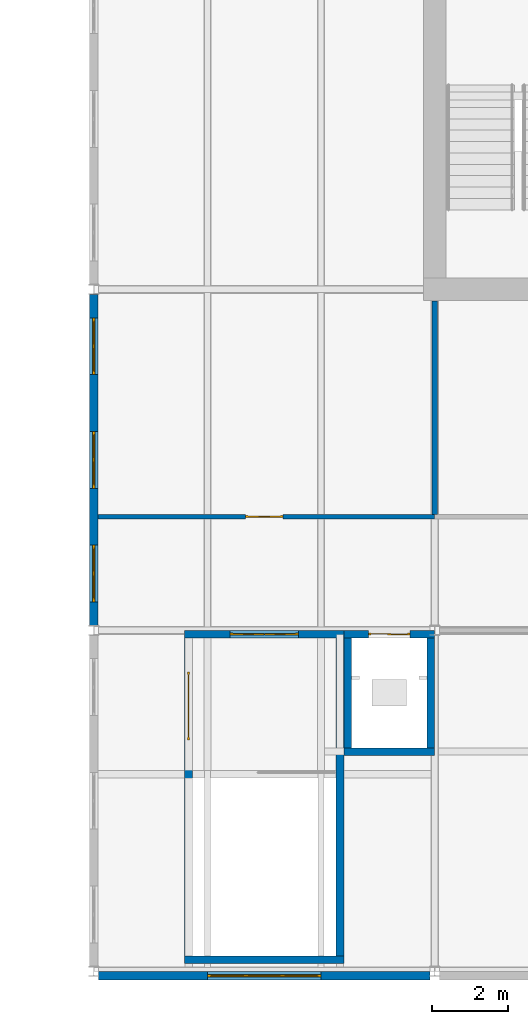
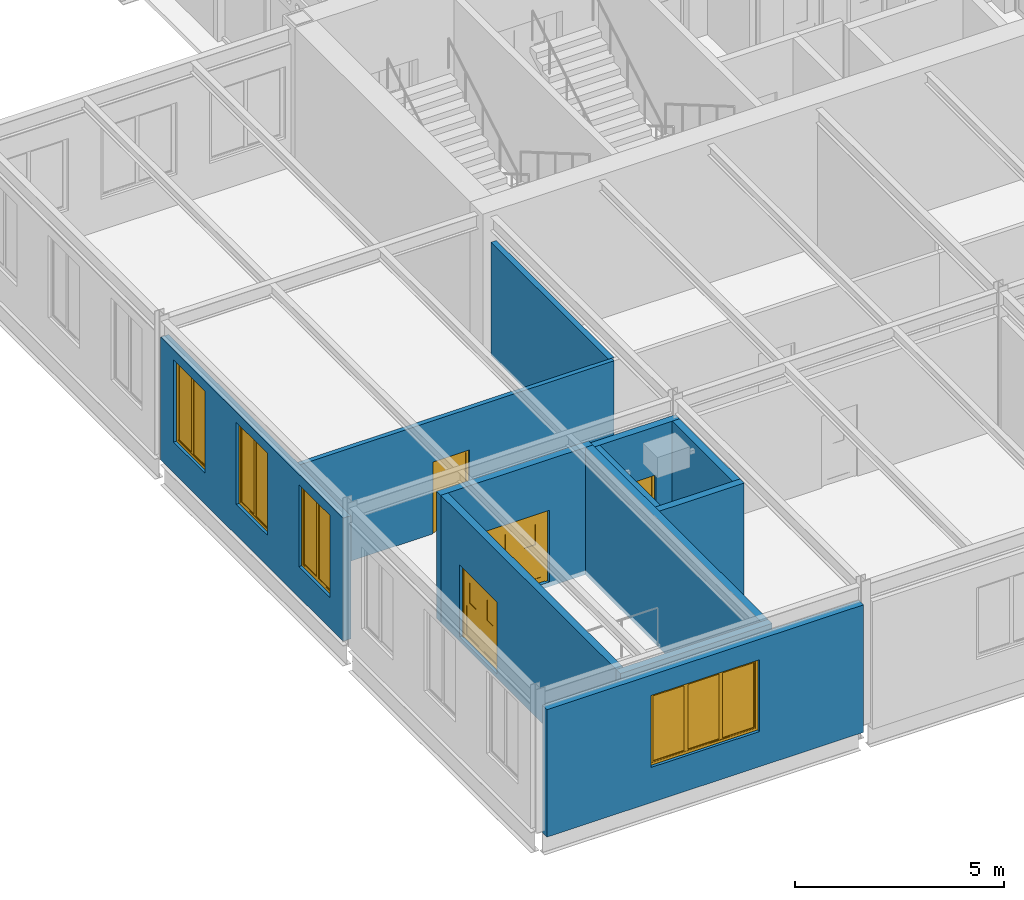
# One storey, part 59 of 123: 12 walls, 4 doors, 4 windows, 8 openings.
"""IFC4 building model written with IfcOpenShell, lengths in metres."""

from ifc_helpers import new_model, si_unit, direction, frame, frame_2d, origin, place, context, subcontext, project, spatial, polyline, rectangle, outline, extrude, material, layer, layer_set, type_object, element, fill, save


model = new_model("IFC4")

# Units and contexts
model_context = context("Model", 3, precision=1e-05, world=origin(), true_north=direction((0.0, 1.0)))
body_context = subcontext(model_context, "Body", "Model", "MODEL_VIEW")
ifc_project = project(units=[si_unit("LENGTHUNIT", "METRE"), si_unit("AREAUNIT", "SQUARE_METRE"), si_unit("VOLUMEUNIT", "CUBIC_METRE"), si_unit("PLANEANGLEUNIT", "RADIAN"), si_unit("MASSUNIT", "GRAM", prefix="KILO")], contexts=[model_context])

# Site, building, storey
site_placement = place(None, origin())
site = spatial("IfcSite", under=ifc_project, at=site_placement, CompositionType="ELEMENT")
building_placement = place(site_placement, origin())
building = spatial("IfcBuilding", under=site, at=building_placement, Name="Baradari Gate Terminus", CompositionType="ELEMENT")
storey_placement = place(building_placement, frame((0.0, 0.0, 7.5)))
storey = spatial("IfcBuildingStorey", under=building, at=storey_placement, Name="L01", CompositionType="ELEMENT", Elevation=7.5)

# Wall, opening, door
ifc_material_1 = material(Name="Gypsum board")
ifc_layer_1 = layer(ifc_material_1, 0.125)
ifc_layer_set_1 = layer_set([ifc_layer_1], Name="Gypsum board")
wall_type_1 = type_object("IfcWallType", Name="Corridor partition PT-5 125 EI 30", PredefinedType="PARTITIONING", material=ifc_layer_set_1)
wall_1_placement = place(storey_placement, frame((63.112060546875, 21.0, 0.0), z_axis=(0.0, 0.0, 1.0), x_axis=(1.0, 0.0, 0.0)))
wall_1 = element("IfcWall", 1, at=wall_1_placement, inside=storey, type_object=wall_type_1, Name="PT-5 partition Corridor (Service Corridor South) / Staff Room 5", PredefinedType="PARTITIONING", context=body_context, shape_type="SweptSolid", body=[
    extrude(rectangle(XDim=8.887939453125, YDim=0.125, at=frame_2d((4.44384765625, 0.0))), origin(), (0.0, 0.0, 1.0), 3.306884765625),
])
opening_1_placement = place(wall_1_placement, frame((3.887939453125, 0.0, 0.0)))
opening_1 = element("IfcOpeningElement", 2, at=opening_1_placement, cuts=wall_1, Name="Opening D01-069", PredefinedType="OPENING", context=body_context, shape_type="SweptSolid", body=[
    extrude(rectangle(XDim=1.0, YDim=2.10009765625, at=frame_2d((0.5, 1.050048828125))), frame((0.0, 0.072509765625, 0.0), z_axis=(0.0, -1.0, 0.0), x_axis=(1.0, 0.0, 0.0)), (0.0, 0.0, 1.0), 0.14501953125),
])
ifc_material_2 = material(Name="Steel S275", Category="steel")
door_type_1 = type_object("IfcDoorType", Name="Fire door FI-1000-FD30S 1000x2100 FD30S", OperationType="SINGLE_SWING_LEFT", PredefinedType="DOOR", material=ifc_material_2)
door_1_placement = place(opening_1_placement, origin())
door_1 = element("IfcDoor", 3, at=door_1_placement, inside=storey, type_object=door_type_1, Name="Door Staff Room 5", OperationType="SINGLE_SWING_LEFT", OverallHeight=2.1, OverallWidth=1.0, PredefinedType="DOOR", context=body_context, shape_type="SweptSolid", body=[
    extrude(outline(polyline([(0.0, 0.0), (0.070068359375, 0.0), (0.070068359375, 2.030029296875), (0.929931640625, 2.030029296875), (0.929931640625, 0.0), (1.0, 0.0), (1.0, 2.10009765625), (0.0, 2.10009765625), (0.0, 0.0)])), frame((0.0, 0.02490234375, 0.0), z_axis=(0.0, -1.0, 0.0), x_axis=(1.0, 0.0, 0.0)), (0.0, 0.0, 1.0), 0.050048828125),
    extrude(outline(polyline([(0.073974609375, 0.010009765625), (0.926025390625, 0.010009765625), (0.926025390625, 2.026123046875), (0.073974609375, 2.026123046875), (0.073974609375, 0.010009765625)]), holes=[polyline([(0.194091796875, 0.159912109375), (0.805908203125, 0.159912109375), (0.805908203125, 1.010009765625), (0.194091796875, 1.010009765625), (0.194091796875, 0.159912109375)]), polyline([(0.35009765625, 1.159912109375), (0.64990234375, 1.159912109375), (0.64990234375, 1.760009765625), (0.35009765625, 1.760009765625), (0.35009765625, 1.159912109375)])]), frame((0.0, 0.017333984375, 0.0), z_axis=(0.0, -1.0, 0.0), x_axis=(1.0, 0.0, 0.0)), (0.0, 0.0, 1.0), 0.034912109375),
    extrude(rectangle(XDim=0.61181640625, YDim=0.85009765625, at=frame_2d((0.5, 0.5849609375))), frame((0.0, 0.008544921875, 0.0), z_axis=(0.0, -1.0, 0.0), x_axis=(1.0, 0.0, 0.0)), (0.0, 0.0, 1.0), 0.017333984375),
    extrude(rectangle(XDim=0.2998046875, YDim=0.60009765625, at=frame_2d((0.5, 1.4599609375))), frame((0.0, 0.005859375, 0.0), z_axis=(0.0, -1.0, 0.0), x_axis=(1.0, 0.0, 0.0)), (0.0, 0.0, 1.0), 0.011962890625),
])
fill(opening_1, door_1)

# Wall, opening, window
ifc_material_3 = material(Name="Light ochre laterite masonry", Category="masonry")
ifc_layer_2 = layer(ifc_material_3, 0.219970703125)
ifc_layer_set_2 = layer_set([ifc_layer_2], Name="Light ochre laterite masonry")
wall_type_2 = type_object("IfcWallType", Name="Laterite masonry wall WP-2 220", PredefinedType="SOLIDWALL", material=ifc_layer_set_2)
wall_2_placement = place(storey_placement, frame((63.127197265625, 8.880126953125, -0.1298828125), z_axis=(0.0, 0.0, 1.0), x_axis=(1.0, 0.0, 0.0)))
wall_2 = element("IfcWall", 4, at=wall_2_placement, inside=storey, type_object=wall_type_2, Name="south front wall SS bay 8 L01", PredefinedType="SOLIDWALL", context=body_context, shape_type="SweptSolid", body=[
    extrude(rectangle(XDim=8.74560546875, YDim=0.219970703125, at=frame_2d((4.372802734375, 0.0))), origin(), (0.0, 0.0, 1.0), 3.7265625),
])
opening_2_placement = place(wall_2_placement, frame((2.872802734375, 0.0, 1.030029296875)))
opening_2 = element("IfcOpeningElement", 5, at=opening_2_placement, cuts=wall_2, Name="Opening W5", PredefinedType="OPENING", context=body_context, shape_type="SweptSolid", body=[
    extrude(rectangle(XDim=3.0, YDim=2.10009765625, at=frame_2d((1.5, 1.050048828125))), frame((0.0, 0.119873046875, 0.0), z_axis=(0.0, -1.0, 0.0), x_axis=(1.0, 0.0, 0.0)), (0.0, 0.0, 1.0), 0.239990234375),
])
ifc_material_4 = material(Name="Aluminium 6063-T6", Category="aluminium")
window_type_1 = type_object("IfcWindowType", Name="Wide window, 4-light W5 3000x2100", PartitioningType="TRIPLE_PANEL_VERTICAL", PredefinedType="WINDOW", material=ifc_material_4)
window_1_placement = place(opening_2_placement, origin())
window_1 = element("IfcWindow", 6, at=window_1_placement, inside=storey, type_object=window_type_1, Name="Window W5 SS/07", OverallHeight=2.1, OverallWidth=3.0, PartitioningType="TRIPLE_PANEL_VERTICAL", PredefinedType="WINDOW", context=body_context, shape_type="SweptSolid", body=[
    extrude(outline(polyline([(0.0, 0.0), (3.0, 0.0), (3.0, 2.10009765625), (0.0, 2.10009765625), (0.0, 0.0)]), holes=[polyline([(0.070068359375, 0.070068359375), (2.929931640625, 0.070068359375), (2.929931640625, 2.030029296875), (0.070068359375, 2.030029296875), (0.070068359375, 0.070068359375)])]), frame((0.0, 0.030029296875, 0.0), z_axis=(0.0, -1.0, 0.0), x_axis=(1.0, 0.0, 0.0)), (0.0, 0.0, 1.0), 0.06005859375),
    extrude(rectangle(XDim=0.0400390625, YDim=1.9599609375, at=frame_2d((1.0166015625, 1.050048828125))), frame((0.0, 0.02197265625, 0.0), z_axis=(0.0, -1.0, 0.0), x_axis=(1.0, 0.0, 0.0)), (0.0, 0.0, 1.0), 0.0439453125),
    extrude(rectangle(XDim=0.0400390625, YDim=1.9599609375, at=frame_2d((1.9833984375, 1.050048828125))), frame((0.0, 0.02197265625, 0.0), z_axis=(0.0, -1.0, 0.0), x_axis=(1.0, 0.0, 0.0)), (0.0, 0.0, 1.0), 0.0439453125),
    extrude(outline(polyline([(0.070068359375, 0.070068359375), (0.99658203125, 0.070068359375), (0.99658203125, 2.030029296875), (0.070068359375, 2.030029296875), (0.070068359375, 0.070068359375)]), holes=[polyline([(0.10009765625, 0.10009765625), (0.966552734375, 0.10009765625), (0.966552734375, 2.0), (0.10009765625, 2.0), (0.10009765625, 0.10009765625)])]), frame((0.0, 0.0224609375, 0.0), z_axis=(0.0, -1.0, 0.0), x_axis=(1.0, 0.0, 0.0)), (0.0, 0.0, 1.0), 0.044921875),
    extrude(rectangle(XDim=0.866455078125, YDim=1.89990234375, at=frame_2d((0.533203125, 1.050048828125))), frame((0.0, 0.006103515625, 0.0), z_axis=(0.0, -1.0, 0.0), x_axis=(1.0, 0.0, 0.0)), (0.0, 0.0, 1.0), 0.01220703125),
    extrude(outline(polyline([(1.03662109375, 0.070068359375), (1.96337890625, 0.070068359375), (1.96337890625, 2.030029296875), (1.03662109375, 2.030029296875), (1.03662109375, 0.070068359375)]), holes=[polyline([(1.066650390625, 0.10009765625), (1.933349609375, 0.10009765625), (1.933349609375, 2.0), (1.066650390625, 2.0), (1.066650390625, 0.10009765625)])]), frame((0.0, 0.0224609375, 0.0), z_axis=(0.0, -1.0, 0.0), x_axis=(1.0, 0.0, 0.0)), (0.0, 0.0, 1.0), 0.044921875),
    extrude(rectangle(XDim=0.86669921875, YDim=1.89990234375, at=frame_2d((1.5, 1.050048828125))), frame((0.0, 0.006103515625, 0.0), z_axis=(0.0, -1.0, 0.0), x_axis=(1.0, 0.0, 0.0)), (0.0, 0.0, 1.0), 0.01220703125),
    extrude(outline(polyline([(2.00341796875, 0.070068359375), (2.929931640625, 0.070068359375), (2.929931640625, 2.030029296875), (2.00341796875, 2.030029296875), (2.00341796875, 0.070068359375)]), holes=[polyline([(2.033447265625, 0.10009765625), (2.89990234375, 0.10009765625), (2.89990234375, 2.0), (2.033447265625, 2.0), (2.033447265625, 0.10009765625)])]), frame((0.0, 0.0224609375, 0.0), z_axis=(0.0, -1.0, 0.0), x_axis=(1.0, 0.0, 0.0)), (0.0, 0.0, 1.0), 0.044921875),
    extrude(rectangle(XDim=0.866455078125, YDim=1.89990234375, at=frame_2d((2.466796875, 1.050048828125))), frame((0.0, 0.006103515625, 0.0), z_axis=(0.0, -1.0, 0.0), x_axis=(1.0, 0.0, 0.0)), (0.0, 0.0, 1.0), 0.01220703125),
])
fill(opening_2, window_1)

# Wall, openings, windows
wall_3_placement = place(storey_placement, frame((63.0, 18.130126953125, 0.0), z_axis=(0.0, 0.0, 1.0), x_axis=(0.0, 1.0, 0.0)))
wall_3 = element("IfcWall", 7, at=wall_3_placement, inside=storey, type_object=wall_type_2, Name="west end wall SW bay 3 L01", PredefinedType="SOLIDWALL", context=body_context, shape_type="SweptSolid", body=[
    extrude(rectangle(XDim=8.73974609375, YDim=0.219970703125, at=frame_2d((4.369873046875, 0.0))), origin(), (0.0, 0.0, 1.0), 3.5966796875),
])
opening_3_placement = place(wall_3_placement, frame((0.619873046875, 0.0, 0.89990234375)))
opening_3 = element("IfcOpeningElement", 8, at=opening_3_placement, cuts=wall_3, Name="Opening W1", PredefinedType="OPENING", context=body_context, shape_type="SweptSolid", body=[
    extrude(rectangle(XDim=1.5, YDim=2.39990234375, at=frame_2d((0.75, 1.199951171875))), frame((0.0, 0.119873046875, 0.0), z_axis=(0.0, -1.0, 0.0), x_axis=(1.0, 0.0, 0.0)), (0.0, 0.0, 1.0), 0.239990234375),
])
opening_4_placement = place(wall_3_placement, frame((3.619873046875, 0.0, 0.89990234375)))
opening_4 = element("IfcOpeningElement", 9, at=opening_4_placement, cuts=wall_3, Name="Opening W1", PredefinedType="OPENING", context=body_context, shape_type="SweptSolid", body=[
    extrude(rectangle(XDim=1.5, YDim=2.39990234375, at=frame_2d((0.75, 1.199951171875))), frame((0.0, 0.119873046875, 0.0), z_axis=(0.0, -1.0, 0.0), x_axis=(1.0, 0.0, 0.0)), (0.0, 0.0, 1.0), 0.239990234375),
])
opening_5_placement = place(wall_3_placement, frame((6.619873046875, 0.0, 0.89990234375)))
opening_5 = element("IfcOpeningElement", 10, at=opening_5_placement, cuts=wall_3, Name="Opening W1", PredefinedType="OPENING", context=body_context, shape_type="SweptSolid", body=[
    extrude(rectangle(XDim=1.5, YDim=2.39990234375, at=frame_2d((0.75, 1.199951171875))), frame((0.0, 0.119873046875, 0.0), z_axis=(0.0, -1.0, 0.0), x_axis=(1.0, 0.0, 0.0)), (0.0, 0.0, 1.0), 0.239990234375),
])
ifc_material_5 = material(Name="Aluminium 6063-T6", Category="aluminium")
window_type_2 = type_object("IfcWindowType", Name="Punched window, 2-light W1 1500x2400", PartitioningType="DOUBLE_PANEL_VERTICAL", PredefinedType="WINDOW", material=ifc_material_5)
window_2_placement = place(opening_3_placement, origin())
window_2 = element("IfcWindow", 11, at=window_2_placement, inside=storey, type_object=window_type_2, Name="Window W1 SW/02", OverallHeight=2.4, OverallWidth=1.5, PartitioningType="DOUBLE_PANEL_VERTICAL", PredefinedType="WINDOW", context=body_context, shape_type="SweptSolid", body=[
    extrude(outline(polyline([(0.0, 0.0), (1.5, 0.0), (1.5, 2.39990234375), (0.0, 2.39990234375), (0.0, 0.0)]), holes=[polyline([(0.070068359375, 0.070068359375), (1.429931640625, 0.070068359375), (1.429931640625, 2.329833984375), (0.070068359375, 2.329833984375), (0.070068359375, 0.070068359375)])]), frame((0.0, 0.030029296875, 0.0), z_axis=(0.0, -1.0, 0.0), x_axis=(1.0, 0.0, 0.0)), (0.0, 0.0, 1.0), 0.06005859375),
    extrude(rectangle(XDim=0.0400390625, YDim=2.259765625, at=frame_2d((0.75, 1.199951171875))), frame((0.0, 0.02197265625, 0.0), z_axis=(0.0, -1.0, 0.0), x_axis=(1.0, 0.0, 0.0)), (0.0, 0.0, 1.0), 0.0439453125),
    extrude(outline(polyline([(0.070068359375, 0.070068359375), (0.72998046875, 0.070068359375), (0.72998046875, 2.329833984375), (0.070068359375, 2.329833984375), (0.070068359375, 0.070068359375)]), holes=[polyline([(0.10009765625, 0.10009765625), (0.699951171875, 0.10009765625), (0.699951171875, 2.2998046875), (0.10009765625, 2.2998046875), (0.10009765625, 0.10009765625)])]), frame((0.0, 0.0224609375, 0.0), z_axis=(0.0, -1.0, 0.0), x_axis=(1.0, 0.0, 0.0)), (0.0, 0.0, 1.0), 0.044921875),
    extrude(rectangle(XDim=0.599853515625, YDim=2.19970703125, at=frame_2d((0.39990234375, 1.199951171875))), frame((0.0, 0.006103515625, 0.0), z_axis=(0.0, -1.0, 0.0), x_axis=(1.0, 0.0, 0.0)), (0.0, 0.0, 1.0), 0.01220703125),
    extrude(outline(polyline([(0.77001953125, 0.070068359375), (1.429931640625, 0.070068359375), (1.429931640625, 2.329833984375), (0.77001953125, 2.329833984375), (0.77001953125, 0.070068359375)]), holes=[polyline([(0.800048828125, 0.10009765625), (1.39990234375, 0.10009765625), (1.39990234375, 2.2998046875), (0.800048828125, 2.2998046875), (0.800048828125, 0.10009765625)])]), frame((0.0, 0.0224609375, 0.0), z_axis=(0.0, -1.0, 0.0), x_axis=(1.0, 0.0, 0.0)), (0.0, 0.0, 1.0), 0.044921875),
    extrude(rectangle(XDim=0.599853515625, YDim=2.19970703125, at=frame_2d((1.10009765625, 1.199951171875))), frame((0.0, 0.006103515625, 0.0), z_axis=(0.0, -1.0, 0.0), x_axis=(1.0, 0.0, 0.0)), (0.0, 0.0, 1.0), 0.01220703125),
])
fill(opening_3, window_2)
window_3_placement = place(opening_4_placement, origin())
window_3 = element("IfcWindow", 12, at=window_3_placement, inside=storey, type_object=window_type_2, Name="Window W1 SW/02", OverallHeight=2.4, OverallWidth=1.5, PartitioningType="DOUBLE_PANEL_VERTICAL", PredefinedType="WINDOW", context=body_context, shape_type="SweptSolid", body=[
    extrude(outline(polyline([(0.0, 0.0), (1.5, 0.0), (1.5, 2.39990234375), (0.0, 2.39990234375), (0.0, 0.0)]), holes=[polyline([(0.070068359375, 0.070068359375), (1.429931640625, 0.070068359375), (1.429931640625, 2.329833984375), (0.070068359375, 2.329833984375), (0.070068359375, 0.070068359375)])]), frame((0.0, 0.030029296875, 0.0), z_axis=(0.0, -1.0, 0.0), x_axis=(1.0, 0.0, 0.0)), (0.0, 0.0, 1.0), 0.06005859375),
    extrude(rectangle(XDim=0.0400390625, YDim=2.259765625, at=frame_2d((0.75, 1.199951171875))), frame((0.0, 0.02197265625, 0.0), z_axis=(0.0, -1.0, 0.0), x_axis=(1.0, 0.0, 0.0)), (0.0, 0.0, 1.0), 0.0439453125),
    extrude(outline(polyline([(0.070068359375, 0.070068359375), (0.72998046875, 0.070068359375), (0.72998046875, 2.329833984375), (0.070068359375, 2.329833984375), (0.070068359375, 0.070068359375)]), holes=[polyline([(0.10009765625, 0.10009765625), (0.699951171875, 0.10009765625), (0.699951171875, 2.2998046875), (0.10009765625, 2.2998046875), (0.10009765625, 0.10009765625)])]), frame((0.0, 0.0224609375, 0.0), z_axis=(0.0, -1.0, 0.0), x_axis=(1.0, 0.0, 0.0)), (0.0, 0.0, 1.0), 0.044921875),
    extrude(rectangle(XDim=0.599853515625, YDim=2.19970703125, at=frame_2d((0.39990234375, 1.199951171875))), frame((0.0, 0.006103515625, 0.0), z_axis=(0.0, -1.0, 0.0), x_axis=(1.0, 0.0, 0.0)), (0.0, 0.0, 1.0), 0.01220703125),
    extrude(outline(polyline([(0.77001953125, 0.070068359375), (1.429931640625, 0.070068359375), (1.429931640625, 2.329833984375), (0.77001953125, 2.329833984375), (0.77001953125, 0.070068359375)]), holes=[polyline([(0.800048828125, 0.10009765625), (1.39990234375, 0.10009765625), (1.39990234375, 2.2998046875), (0.800048828125, 2.2998046875), (0.800048828125, 0.10009765625)])]), frame((0.0, 0.0224609375, 0.0), z_axis=(0.0, -1.0, 0.0), x_axis=(1.0, 0.0, 0.0)), (0.0, 0.0, 1.0), 0.044921875),
    extrude(rectangle(XDim=0.599853515625, YDim=2.19970703125, at=frame_2d((1.10009765625, 1.199951171875))), frame((0.0, 0.006103515625, 0.0), z_axis=(0.0, -1.0, 0.0), x_axis=(1.0, 0.0, 0.0)), (0.0, 0.0, 1.0), 0.01220703125),
])
fill(opening_4, window_3)
window_4_placement = place(opening_5_placement, origin())
window_4 = element("IfcWindow", 13, at=window_4_placement, inside=storey, type_object=window_type_2, Name="Window W1 SW/02", OverallHeight=2.4, OverallWidth=1.5, PartitioningType="DOUBLE_PANEL_VERTICAL", PredefinedType="WINDOW", context=body_context, shape_type="SweptSolid", body=[
    extrude(outline(polyline([(0.0, 0.0), (1.5, 0.0), (1.5, 2.39990234375), (0.0, 2.39990234375), (0.0, 0.0)]), holes=[polyline([(0.070068359375, 0.070068359375), (1.429931640625, 0.070068359375), (1.429931640625, 2.329833984375), (0.070068359375, 2.329833984375), (0.070068359375, 0.070068359375)])]), frame((0.0, 0.030029296875, 0.0), z_axis=(0.0, -1.0, 0.0), x_axis=(1.0, 0.0, 0.0)), (0.0, 0.0, 1.0), 0.06005859375),
    extrude(rectangle(XDim=0.0400390625, YDim=2.259765625, at=frame_2d((0.75, 1.199951171875))), frame((0.0, 0.02197265625, 0.0), z_axis=(0.0, -1.0, 0.0), x_axis=(1.0, 0.0, 0.0)), (0.0, 0.0, 1.0), 0.0439453125),
    extrude(outline(polyline([(0.070068359375, 0.070068359375), (0.72998046875, 0.070068359375), (0.72998046875, 2.329833984375), (0.070068359375, 2.329833984375), (0.070068359375, 0.070068359375)]), holes=[polyline([(0.10009765625, 0.10009765625), (0.699951171875, 0.10009765625), (0.699951171875, 2.2998046875), (0.10009765625, 2.2998046875), (0.10009765625, 0.10009765625)])]), frame((0.0, 0.0224609375, 0.0), z_axis=(0.0, -1.0, 0.0), x_axis=(1.0, 0.0, 0.0)), (0.0, 0.0, 1.0), 0.044921875),
    extrude(rectangle(XDim=0.599853515625, YDim=2.19970703125, at=frame_2d((0.39990234375, 1.199951171875))), frame((0.0, 0.006103515625, 0.0), z_axis=(0.0, -1.0, 0.0), x_axis=(1.0, 0.0, 0.0)), (0.0, 0.0, 1.0), 0.01220703125),
    extrude(outline(polyline([(0.77001953125, 0.070068359375), (1.429931640625, 0.070068359375), (1.429931640625, 2.329833984375), (0.77001953125, 2.329833984375), (0.77001953125, 0.070068359375)]), holes=[polyline([(0.800048828125, 0.10009765625), (1.39990234375, 0.10009765625), (1.39990234375, 2.2998046875), (0.800048828125, 2.2998046875), (0.800048828125, 0.10009765625)])]), frame((0.0, 0.0224609375, 0.0), z_axis=(0.0, -1.0, 0.0), x_axis=(1.0, 0.0, 0.0)), (0.0, 0.0, 1.0), 0.044921875),
    extrude(rectangle(XDim=0.599853515625, YDim=2.19970703125, at=frame_2d((1.10009765625, 1.199951171875))), frame((0.0, 0.006103515625, 0.0), z_axis=(0.0, -1.0, 0.0), x_axis=(1.0, 0.0, 0.0)), (0.0, 0.0, 1.0), 0.01220703125),
])
fill(opening_5, window_4)

# Wall
ifc_material_6 = material(Name="Blockwork wall, fire rated", Category="masonry")
ifc_layer_3 = layer(ifc_material_6, 0.199951171875)
ifc_layer_set_3 = layer_set([ifc_layer_3], Name="Blockwork wall, fire rated")
wall_type_3 = type_object("IfcWallType", Name="Lift shaft wall SH-1 200 EI 120", PredefinedType="SOLIDWALL", material=ifc_layer_set_3)
wall_4_placement = place(storey_placement, frame((69.60205078125, 14.800048828125, 0.0), z_axis=(0.0, 0.0, 1.0), x_axis=(1.0, 0.0, 0.0)))
element("IfcWall", 14, at=wall_4_placement, inside=storey, type_object=wall_type_3, Name="Lift shaft wall LSW1 L01 S", PredefinedType="SOLIDWALL", context=body_context, shape_type="SweptSolid", body=[
    extrude(rectangle(XDim=2.39794921875, YDim=0.199951171875, at=frame_2d((1.198974609375, 0.0))), origin(), (0.0, 0.0, 1.0), 3.51611328125),
])

# Wall, opening, door
wall_5_placement = place(storey_placement, frame((69.60205078125, 17.89990234375, 0.0), z_axis=(0.0, 0.0, 1.0), x_axis=(1.0, 0.0, 0.0)))
wall_5 = element("IfcWall", 15, at=wall_5_placement, inside=storey, type_object=wall_type_3, Name="Lift shaft wall LSW1 L01 N", PredefinedType="SOLIDWALL", context=body_context, shape_type="SweptSolid", body=[
    extrude(rectangle(XDim=2.39794921875, YDim=0.199951171875, at=frame_2d((1.198974609375, 0.0))), origin(), (0.0, 0.0, 1.0), 3.51611328125),
])
opening_6_placement = place(wall_5_placement, frame((0.64794921875, 0.0, 0.0)))
opening_6 = element("IfcOpeningElement", 16, at=opening_6_placement, cuts=wall_5, Name="Opening D01-012", PredefinedType="OPENING", context=body_context, shape_type="SweptSolid", body=[
    extrude(rectangle(XDim=1.10009765625, YDim=2.10009765625, at=frame_2d((0.550048828125, 1.050048828125))), frame((0.0, 0.10986328125, 0.0), z_axis=(0.0, -1.0, 0.0), x_axis=(1.0, 0.0, 0.0)), (0.0, 0.0, 1.0), 0.219970703125),
])
ifc_material_7 = material(Name="Stainless steel 1.4301", Category="steel")
door_type_2 = type_object("IfcDoorType", Name="Lift landing door LD 1100x2100 E 120", OperationType="SLIDING_TO_LEFT", PredefinedType="DOOR", material=ifc_material_7)
door_2_placement = place(opening_6_placement, origin())
door_2 = element("IfcDoor", 17, at=door_2_placement, inside=storey, type_object=door_type_2, Name="Lift landing door LSW1 L01", OperationType="SLIDING_TO_LEFT", OverallHeight=2.1, OverallWidth=1.1, PredefinedType="DOOR", context=body_context, shape_type="SweptSolid", body=[
    extrude(outline(polyline([(0.0, 0.0), (0.070068359375, 0.0), (0.070068359375, 2.030029296875), (1.030029296875, 2.030029296875), (1.030029296875, 0.0), (1.10009765625, 0.0), (1.10009765625, 2.10009765625), (0.0, 2.10009765625), (0.0, 0.0)])), frame((0.0, 0.02490234375, 0.0), z_axis=(0.0, -1.0, 0.0), x_axis=(1.0, 0.0, 0.0)), (0.0, 0.0, 1.0), 0.050048828125),
    extrude(rectangle(XDim=0.523681640625, YDim=2.01611328125, at=frame_2d((0.3359375, 1.01806640625))), frame((0.0, 0.017822265625, 0.0), z_axis=(0.0, -1.0, 0.0), x_axis=(1.0, 0.0, 0.0)), (0.0, 0.0, 1.0), 0.015869140625),
    extrude(rectangle(XDim=0.519775390625, YDim=2.01611328125, at=frame_2d((0.76611328125, 1.01806640625))), frame((0.0, -0.002197265625, 0.0), z_axis=(0.0, -1.0, 0.0), x_axis=(1.0, 0.0, 0.0)), (0.0, 0.0, 1.0), 0.015869140625),
])
fill(opening_6, door_2)

# Walls
for number, where, z_axis, x_axis, name in (
    (18, (69.699951171875, 14.89990234375, 0.0), (0.0, 0.0, 1.0), (0.0, 1.0, 0.0), "Lift shaft wall LSW1 L01 W"),
    (19, (71.89990234375, 14.89990234375, 0.0), (0.0, 0.0, 1.0), (0.0, 1.0, 0.0), "Lift shaft wall LSW1 L01 E"),
):
    element("IfcWall", number, at=place(storey_placement, frame(where, z_axis=z_axis, x_axis=x_axis)), inside=storey, type_object=wall_type_3, Name=name, PredefinedType="SOLIDWALL", context=body_context, shape_type="SweptSolid", body=[
        extrude(rectangle(XDim=2.900146484375, YDim=0.199951171875, at=frame_2d((1.4501953125, 0.0))), origin(), (0.0, 0.0, 1.0), 3.51611328125),
    ])
ifc_material_8 = material(Name="Blockwork wall, plastered", Category="masonry")
ifc_layer_4 = layer(ifc_material_8, 0.14990234375)
ifc_layer_set_4 = layer_set([ifc_layer_4], Name="Blockwork wall, plastered")
wall_type_4 = type_object("IfcWallType", Name="Partition PT-2 150 EI 60", PredefinedType="PARTITIONING", material=ifc_layer_set_4)
wall_6_placement = place(storey_placement, frame((72.0, 26.697998046875, 0.0), z_axis=(0.0, 0.0, 1.0), x_axis=(0.0, -1.0, 0.0)))
element("IfcWall", 20, at=wall_6_placement, inside=storey, type_object=wall_type_4, Name="PT-2 partition Staff Room 5 / South Wing Office 1", PredefinedType="PARTITIONING", context=body_context, shape_type="SweptSolid", body=[
    extrude(rectangle(XDim=5.635498046875, YDim=0.14990234375, at=frame_2d((2.81787109375, 0.0))), origin(), (0.0, 0.0, 1.0), 3.306884765625),
])
ifc_material_9 = material(Name="Concrete C40/50", Category="concrete")
ifc_layer_5 = layer(ifc_material_9, 0.199951171875)
ifc_layer_set_5 = layer_set([ifc_layer_5], Name="Concrete C40/50")
wall_type_5 = type_object("IfcWallType", Name="Stair enclosure wall SE-5 200 EI 120", PredefinedType="SOLIDWALL", material=ifc_layer_set_5)
wall_7_placement = place(storey_placement, frame((65.39990234375, 9.300048828125, 0.0), z_axis=(0.0, 0.0, 1.0), x_axis=(1.0, 0.0, 0.0)))
element("IfcWall", 21, at=wall_7_placement, inside=storey, type_object=wall_type_5, Name="Stair enclosure wall SE-5 ST-SW1 L01 S", PredefinedType="SOLIDWALL", context=body_context, shape_type="SweptSolid", body=[
    extrude(rectangle(XDim=4.2001953125, YDim=0.199951171875, at=frame_2d((2.10009765625, 0.0))), origin(), (0.0, 0.0, 1.0), 3.590087890625),
])

# Wall, opening, door
wall_8_placement = place(storey_placement, frame((65.39990234375, 17.89990234375, -0.1298828125), z_axis=(0.0, 0.0, 1.0), x_axis=(1.0, 0.0, 0.0)))
wall_8 = element("IfcWall", 22, at=wall_8_placement, inside=storey, type_object=wall_type_5, Name="Stair enclosure wall SE-5 ST-SW1 L01 N", PredefinedType="SOLIDWALL", context=body_context, shape_type="SweptSolid", body=[
    extrude(rectangle(XDim=4.2001953125, YDim=0.199951171875, at=frame_2d((2.10009765625, 0.0))), origin(), (0.0, 0.0, 1.0), 3.719970703125),
])
opening_7_placement = place(wall_8_placement, frame((1.199951171875, 0.0, 0.1298828125)))
opening_7 = element("IfcOpeningElement", 23, at=opening_7_placement, cuts=wall_8, Name="Opening D01-087", PredefinedType="OPENING", context=body_context, shape_type="SweptSolid", body=[
    extrude(rectangle(XDim=1.800048828125, YDim=2.10009765625, at=frame_2d((0.89990234375, 1.050048828125))), frame((0.0, 0.10986328125, 0.0), z_axis=(0.0, -1.0, 0.0), x_axis=(1.0, 0.0, 0.0)), (0.0, 0.0, 1.0), 0.219970703125),
])
ifc_material_10 = material(Name="Steel S275", Category="steel")
door_type_3 = type_object("IfcDoorType", Name="Fire door FI-1800-FD90S 1800x2100 FD90S", OperationType="DOUBLE_DOOR_SINGLE_SWING", PredefinedType="DOOR", material=ifc_material_10)
door_3_placement = place(opening_7_placement, frame((1.800048828125, 0.0, 0.0), z_axis=(0.0, 0.0, 1.0), x_axis=(-1.0, 0.0, 0.0)))
door_3 = element("IfcDoor", 24, at=door_3_placement, inside=storey, type_object=door_type_3, Name="Door Stair (South Wing) 1", OperationType="DOUBLE_DOOR_SINGLE_SWING", OverallHeight=2.1, OverallWidth=1.8, PredefinedType="DOOR", context=body_context, shape_type="SweptSolid", body=[
    extrude(outline(polyline([(0.0, 0.0), (0.070068359375, 0.0), (0.070068359375, 2.030029296875), (1.72998046875, 2.030029296875), (1.72998046875, 0.0), (1.800048828125, 0.0), (1.800048828125, 2.10009765625), (0.0, 2.10009765625), (0.0, 0.0)])), frame((0.0, 0.02490234375, 0.0), z_axis=(0.0, -1.0, 0.0), x_axis=(1.0, 0.0, 0.0)), (0.0, 0.0, 1.0), 0.050048828125),
    extrude(outline(polyline([(0.073974609375, 0.010009765625), (0.89697265625, 0.010009765625), (0.89697265625, 2.026123046875), (0.073974609375, 2.026123046875), (0.073974609375, 0.010009765625)]), holes=[polyline([(0.194091796875, 0.159912109375), (0.77685546875, 0.159912109375), (0.77685546875, 1.010009765625), (0.194091796875, 1.010009765625), (0.194091796875, 0.159912109375)]), polyline([(0.33544921875, 1.159912109375), (0.635498046875, 1.159912109375), (0.635498046875, 1.760009765625), (0.33544921875, 1.760009765625), (0.33544921875, 1.159912109375)])]), frame((0.0, 0.017333984375, 0.0), z_axis=(0.0, -1.0, 0.0), x_axis=(1.0, 0.0, 0.0)), (0.0, 0.0, 1.0), 0.034912109375),
    extrude(rectangle(XDim=0.582763671875, YDim=0.85009765625, at=frame_2d((0.4853515625, 0.5849609375))), frame((0.0, 0.008544921875, 0.0), z_axis=(0.0, -1.0, 0.0), x_axis=(1.0, 0.0, 0.0)), (0.0, 0.0, 1.0), 0.017333984375),
    extrude(rectangle(XDim=0.300048828125, YDim=0.60009765625, at=frame_2d((0.4853515625, 1.4599609375))), frame((0.0, 0.005859375, 0.0), z_axis=(0.0, -1.0, 0.0), x_axis=(1.0, 0.0, 0.0)), (0.0, 0.0, 1.0), 0.011962890625),
    extrude(outline(polyline([(0.903076171875, 0.010009765625), (1.72607421875, 0.010009765625), (1.72607421875, 2.026123046875), (0.903076171875, 2.026123046875), (0.903076171875, 0.010009765625)]), holes=[polyline([(1.023193359375, 0.159912109375), (1.60595703125, 0.159912109375), (1.60595703125, 1.010009765625), (1.023193359375, 1.010009765625), (1.023193359375, 0.159912109375)]), polyline([(1.16455078125, 1.159912109375), (1.464599609375, 1.159912109375), (1.464599609375, 1.760009765625), (1.16455078125, 1.760009765625), (1.16455078125, 1.159912109375)])]), frame((0.0, 0.017333984375, 0.0), z_axis=(0.0, -1.0, 0.0), x_axis=(1.0, 0.0, 0.0)), (0.0, 0.0, 1.0), 0.034912109375),
    extrude(rectangle(XDim=0.582763671875, YDim=0.85009765625, at=frame_2d((1.314453125, 0.5849609375))), frame((0.0, 0.008544921875, 0.0), z_axis=(0.0, -1.0, 0.0), x_axis=(1.0, 0.0, 0.0)), (0.0, 0.0, 1.0), 0.017333984375),
    extrude(rectangle(XDim=0.300048828125, YDim=0.60009765625, at=frame_2d((1.314453125, 1.4599609375))), frame((0.0, 0.005859375, 0.0), z_axis=(0.0, -1.0, 0.0), x_axis=(1.0, 0.0, 0.0)), (0.0, 0.0, 1.0), 0.011962890625),
])
fill(opening_7, door_3)

wall_9_placement = place(storey_placement, frame((65.5, 9.39990234375, -0.1298828125), z_axis=(0.0, 0.0, 1.0), x_axis=(0.0, 1.0, 0.0)))
wall_9 = element("IfcWall", 25, at=wall_9_placement, inside=storey, type_object=wall_type_5, Name="Stair enclosure wall SE-5 ST-SW1 L01 W", PredefinedType="SOLIDWALL", context=body_context, shape_type="SweptSolid", body=[
    extrude(rectangle(XDim=8.400146484375, YDim=0.199951171875, at=frame_2d((4.2001953125, 0.0))), origin(), (0.0, 0.0, 1.0), 3.719970703125),
])
opening_8_placement = place(wall_9_placement, frame((5.699951171875, 0.0, 0.1298828125)))
opening_8 = element("IfcOpeningElement", 26, at=opening_8_placement, cuts=wall_9, Name="Opening D01-086", PredefinedType="OPENING", context=body_context, shape_type="SweptSolid", body=[
    extrude(rectangle(XDim=1.800048828125, YDim=2.10009765625, at=frame_2d((0.89990234375, 1.050048828125))), frame((0.0, 0.10986328125, 0.0), z_axis=(0.0, -1.0, 0.0), x_axis=(1.0, 0.0, 0.0)), (0.0, 0.0, 1.0), 0.219970703125),
])
door_4_placement = place(opening_8_placement, frame((1.800048828125, 0.0, 0.0), z_axis=(0.0, 0.0, 1.0), x_axis=(-1.0, 0.0, 0.0)))
door_4 = element("IfcDoor", 27, at=door_4_placement, inside=storey, type_object=door_type_3, Name="Door Stair (South Wing) 1", OperationType="DOUBLE_DOOR_SINGLE_SWING", OverallHeight=2.1, OverallWidth=1.8, PredefinedType="DOOR", context=body_context, shape_type="SweptSolid", body=[
    extrude(outline(polyline([(0.0, 0.0), (0.070068359375, 0.0), (0.070068359375, 2.030029296875), (1.72998046875, 2.030029296875), (1.72998046875, 0.0), (1.800048828125, 0.0), (1.800048828125, 2.10009765625), (0.0, 2.10009765625), (0.0, 0.0)])), frame((0.0, 0.02490234375, 0.0), z_axis=(0.0, -1.0, 0.0), x_axis=(1.0, 0.0, 0.0)), (0.0, 0.0, 1.0), 0.050048828125),
    extrude(outline(polyline([(0.073974609375, 0.010009765625), (0.89697265625, 0.010009765625), (0.89697265625, 2.026123046875), (0.073974609375, 2.026123046875), (0.073974609375, 0.010009765625)]), holes=[polyline([(0.194091796875, 0.159912109375), (0.77685546875, 0.159912109375), (0.77685546875, 1.010009765625), (0.194091796875, 1.010009765625), (0.194091796875, 0.159912109375)]), polyline([(0.33544921875, 1.159912109375), (0.635498046875, 1.159912109375), (0.635498046875, 1.760009765625), (0.33544921875, 1.760009765625), (0.33544921875, 1.159912109375)])]), frame((0.0, 0.017333984375, 0.0), z_axis=(0.0, -1.0, 0.0), x_axis=(1.0, 0.0, 0.0)), (0.0, 0.0, 1.0), 0.034912109375),
    extrude(rectangle(XDim=0.582763671875, YDim=0.85009765625, at=frame_2d((0.4853515625, 0.5849609375))), frame((0.0, 0.008544921875, 0.0), z_axis=(0.0, -1.0, 0.0), x_axis=(1.0, 0.0, 0.0)), (0.0, 0.0, 1.0), 0.017333984375),
    extrude(rectangle(XDim=0.300048828125, YDim=0.60009765625, at=frame_2d((0.4853515625, 1.4599609375))), frame((0.0, 0.005859375, 0.0), z_axis=(0.0, -1.0, 0.0), x_axis=(1.0, 0.0, 0.0)), (0.0, 0.0, 1.0), 0.011962890625),
    extrude(outline(polyline([(0.903076171875, 0.010009765625), (1.72607421875, 0.010009765625), (1.72607421875, 2.026123046875), (0.903076171875, 2.026123046875), (0.903076171875, 0.010009765625)]), holes=[polyline([(1.023193359375, 0.159912109375), (1.60595703125, 0.159912109375), (1.60595703125, 1.010009765625), (1.023193359375, 1.010009765625), (1.023193359375, 0.159912109375)]), polyline([(1.16455078125, 1.159912109375), (1.464599609375, 1.159912109375), (1.464599609375, 1.760009765625), (1.16455078125, 1.760009765625), (1.16455078125, 1.159912109375)])]), frame((0.0, 0.017333984375, 0.0), z_axis=(0.0, -1.0, 0.0), x_axis=(1.0, 0.0, 0.0)), (0.0, 0.0, 1.0), 0.034912109375),
    extrude(rectangle(XDim=0.582763671875, YDim=0.85009765625, at=frame_2d((1.314453125, 0.5849609375))), frame((0.0, 0.008544921875, 0.0), z_axis=(0.0, -1.0, 0.0), x_axis=(1.0, 0.0, 0.0)), (0.0, 0.0, 1.0), 0.017333984375),
    extrude(rectangle(XDim=0.300048828125, YDim=0.60009765625, at=frame_2d((1.314453125, 1.4599609375))), frame((0.0, 0.005859375, 0.0), z_axis=(0.0, -1.0, 0.0), x_axis=(1.0, 0.0, 0.0)), (0.0, 0.0, 1.0), 0.011962890625),
])
fill(opening_8, door_4)

# Wall
wall_10_placement = place(storey_placement, frame((69.5, 9.39990234375, -0.1298828125), z_axis=(0.0, 0.0, 1.0), x_axis=(0.0, 1.0, 0.0)))
element("IfcWall", 28, at=wall_10_placement, inside=storey, type_object=wall_type_5, Name="Stair enclosure wall SE-5 ST-SW1 L01 E", PredefinedType="SOLIDWALL", context=body_context, shape_type="SweptSolid", body=[
    extrude(rectangle(XDim=8.400146484375, YDim=0.199951171875, at=frame_2d((4.2001953125, 0.0))), origin(), (0.0, 0.0, 1.0), 3.719970703125),
])

save(model, "model.ifc")
